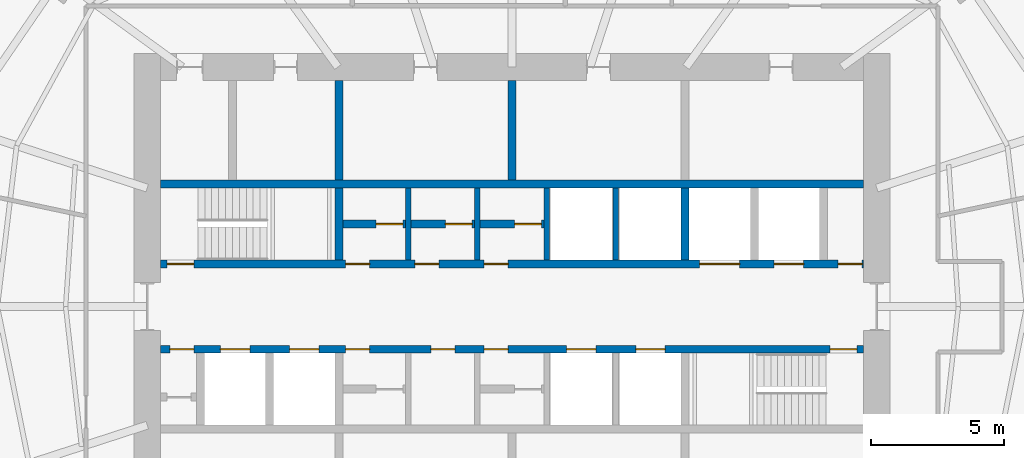
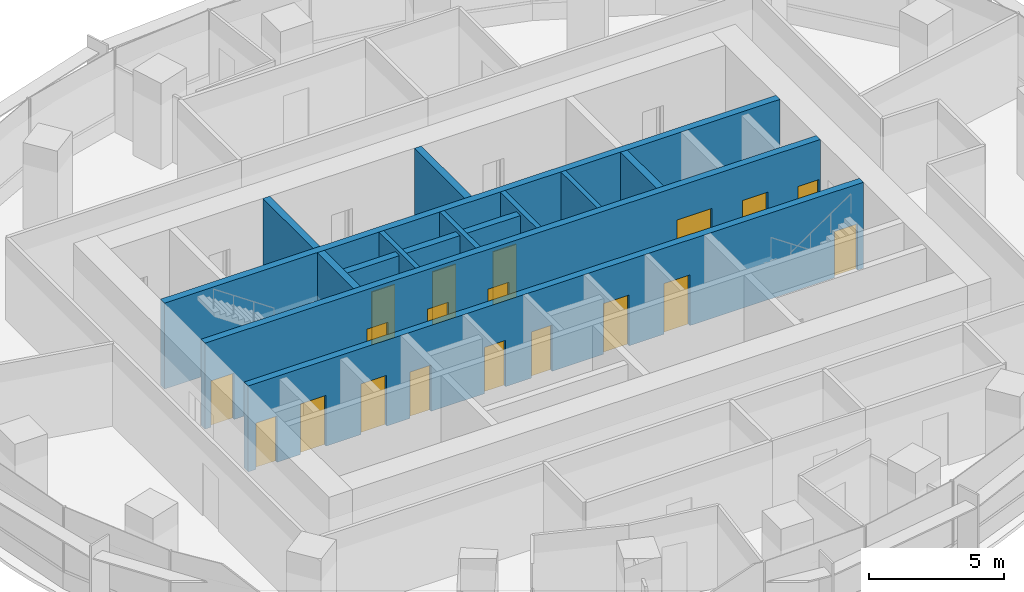
# One storey, part 11 of 15: 19 doors, 14 walls, 19 openings.
"""IFC4 building model written with IfcOpenShell, lengths in metres."""

from ifc_helpers import new_model, si_unit, direction, frame, frame_2d, origin, place, context, subcontext, project, spatial, rectangle, extrude, material, layer, layer_set, type_object, element, fill, save


model = new_model("IFC4")

# Units and contexts
model_context = context("Model", 3, precision=1e-05, world=origin(), true_north=direction((0.0, 1.0)))
body_context = subcontext(model_context, "Body", "Model", "MODEL_VIEW")
ifc_project = project(units=[si_unit("LENGTHUNIT", "METRE"), si_unit("AREAUNIT", "SQUARE_METRE"), si_unit("VOLUMEUNIT", "CUBIC_METRE"), si_unit("PLANEANGLEUNIT", "RADIAN"), si_unit("MASSUNIT", "GRAM", prefix="KILO")], contexts=[model_context])

# Site, building, storey
site_placement = place(None, origin())
site = spatial("IfcSite", under=ifc_project, at=site_placement, CompositionType="ELEMENT")
building_placement = place(site_placement, origin())
building = spatial("IfcBuilding", under=site, at=building_placement, Name="Marramba Exchange Tower", CompositionType="ELEMENT")
storey_placement = place(building_placement, frame((0.0, 0.0, 230.60009765625)))
storey = spatial("IfcBuildingStorey", under=building, at=storey_placement, Name="L56", CompositionType="ELEMENT", Elevation=230.60009765625)

# Walls
ifc_material_1 = material(Name="Concrete N50", Category="concrete")
ifc_layer_1 = layer(ifc_material_1, 0.199951171875)
ifc_layer_set_1 = layer_set([ifc_layer_1], Name="Core shaft wall 200")
wall_type_1 = type_object("IfcWallType", Name="Core shaft wall 200", PredefinedType="SHEAR", material=ifc_layer_set_1)
for number, where, z_axis, x_axis, name in (
    (1, (-3.89990234375, 1.75, 0.0), (0.0, 0.0, 1.0), (0.0, 1.0, 0.0), "Core wall SHN1 L56"),
    (2, (-1.300048828125, 1.75, 0.0), (0.0, 0.0, 1.0), (0.0, 1.0, 0.0), "Core wall SHN2 L56"),
    (3, (1.300048828125, 1.75, 0.0), (0.0, 0.0, 1.0), (0.0, 1.0, 0.0), "Core wall SHN3 L56"),
    (4, (3.89990234375, 1.75, 0.0), (0.0, 0.0, 1.0), (0.0, 1.0, 0.0), "Core wall SHN4 L56"),
):
    element("IfcWall", number, at=place(storey_placement, frame(where, z_axis=z_axis, x_axis=x_axis)), inside=storey, type_object=wall_type_1, Name=name, PredefinedType="SHEAR", context=body_context, shape_type="SweptSolid", body=[
        extrude(rectangle(XDim=2.699951171875, YDim=0.199951171875, at=frame_2d((1.35009765625, 0.0))), origin(), (0.0, 0.0, 1.0), 3.89990234375),
    ])

# Wall, openings, doors
ifc_layer_2 = layer(ifc_material_1, 0.300048828125)
ifc_layer_set_2 = layer_set([ifc_layer_2], Name="Core wall 300")
wall_type_2 = type_object("IfcWallType", Name="Core wall 300", PredefinedType="SHEAR", material=ifc_layer_set_2)
wall_1_placement = place(storey_placement, frame((-13.199951171875, 1.60009765625, 0.0), z_axis=(0.0, 0.0, 1.0), x_axis=(1.0, 0.0, 0.0)))
wall_1 = element("IfcWall", 5, at=wall_1_placement, inside=storey, type_object=wall_type_2, Name="Core wall LN L56", PredefinedType="SHEAR", context=body_context, shape_type="SweptSolid", body=[
    extrude(rectangle(XDim=26.39990234375, YDim=0.300048828125, at=frame_2d((13.199951171875, 0.0))), origin(), (0.0, 0.0, 1.0), 3.89990234375),
])
opening_1_placement = place(wall_1_placement, frame((0.25, 0.0, 0.0)))
opening_1 = element("IfcOpeningElement", 6, at=opening_1_placement, cuts=wall_1, Name="Opening D2", PredefinedType="OPENING", context=body_context, shape_type="SweptSolid", body=[
    extrude(rectangle(XDim=1.0, YDim=2.10009765625, at=frame_2d((0.5, 1.050048828125))), frame((0.0, 0.159912109375, 0.0), z_axis=(0.0, -1.0, 0.0), x_axis=(1.0, 0.0, 0.0)), (0.0, 0.0, 1.0), 0.320068359375),
])
opening_2_placement = place(wall_1_placement, frame((23.050048828125, 0.0, 0.0)))
opening_2 = element("IfcOpeningElement", 7, at=opening_2_placement, cuts=wall_1, Name="Opening LD1", PredefinedType="OPENING", context=body_context, shape_type="SweptSolid", body=[
    extrude(rectangle(XDim=1.10009765625, YDim=2.300048828125, at=frame_2d((0.550048828125, 1.14990234375))), frame((0.0, 0.159912109375, 0.0), z_axis=(0.0, -1.0, 0.0), x_axis=(1.0, 0.0, 0.0)), (0.0, 0.0, 1.0), 0.320068359375),
])
opening_3_placement = place(wall_1_placement, frame((20.25, 0.0, 0.0)))
opening_3 = element("IfcOpeningElement", 8, at=opening_3_placement, cuts=wall_1, Name="Opening LD3", PredefinedType="OPENING", context=body_context, shape_type="SweptSolid", body=[
    extrude(rectangle(XDim=1.5, YDim=2.39990234375, at=frame_2d((0.75, 1.199951171875))), frame((0.0, 0.159912109375, 0.0), z_axis=(0.0, -1.0, 0.0), x_axis=(1.0, 0.0, 0.0)), (0.0, 0.0, 1.0), 0.320068359375),
])
opening_4_placement = place(wall_1_placement, frame((6.949951171875, 0.0, 0.0)))
opening_4 = element("IfcOpeningElement", 9, at=opening_4_placement, cuts=wall_1, Name="Opening D5", PredefinedType="OPENING", context=body_context, shape_type="SweptSolid", body=[
    extrude(rectangle(XDim=0.89990234375, YDim=2.10009765625, at=frame_2d((0.449951171875, 1.050048828125))), frame((0.0, 0.159912109375, 0.0), z_axis=(0.0, -1.0, 0.0), x_axis=(1.0, 0.0, 0.0)), (0.0, 0.0, 1.0), 0.320068359375),
])
opening_5_placement = place(wall_1_placement, frame((9.550048828125, 0.0, 0.0)))
opening_5 = element("IfcOpeningElement", 10, at=opening_5_placement, cuts=wall_1, Name="Opening D5", PredefinedType="OPENING", context=body_context, shape_type="SweptSolid", body=[
    extrude(rectangle(XDim=0.89990234375, YDim=2.10009765625, at=frame_2d((0.449951171875, 1.050048828125))), frame((0.0, 0.159912109375, 0.0), z_axis=(0.0, -1.0, 0.0), x_axis=(1.0, 0.0, 0.0)), (0.0, 0.0, 1.0), 0.320068359375),
])
opening_6_placement = place(wall_1_placement, frame((12.14990234375, 0.0, 0.0)))
opening_6 = element("IfcOpeningElement", 11, at=opening_6_placement, cuts=wall_1, Name="Opening D5", PredefinedType="OPENING", context=body_context, shape_type="SweptSolid", body=[
    extrude(rectangle(XDim=0.89990234375, YDim=2.10009765625, at=frame_2d((0.449951171875, 1.050048828125))), frame((0.0, 0.159912109375, 0.0), z_axis=(0.0, -1.0, 0.0), x_axis=(1.0, 0.0, 0.0)), (0.0, 0.0, 1.0), 0.320068359375),
])
opening_7_placement = place(wall_1_placement, frame((25.449951171875, 0.0, 0.0)))
opening_7 = element("IfcOpeningElement", 12, at=opening_7_placement, cuts=wall_1, Name="Opening D5", PredefinedType="OPENING", context=body_context, shape_type="SweptSolid", body=[
    extrude(rectangle(XDim=0.89990234375, YDim=2.10009765625, at=frame_2d((0.449951171875, 1.050048828125))), frame((0.0, 0.159912109375, 0.0), z_axis=(0.0, -1.0, 0.0), x_axis=(1.0, 0.0, 0.0)), (0.0, 0.0, 1.0), 0.320068359375),
])
ifc_material_2 = material(Name="Steel-framed door", Category="steel")
door_type_1 = type_object("IfcDoorType", Name="Goods lift landing door 1500x2400", OperationType="SLIDING_TO_LEFT", PredefinedType="DOOR", material=ifc_material_2)
door_1_placement = place(opening_3_placement, origin())
door_1 = element("IfcDoor", 13, at=door_1_placement, inside=storey, type_object=door_type_1, Name="GL1 landing door L56", OperationType="SLIDING_TO_LEFT", OverallHeight=2.39990234375, OverallWidth=1.5, PredefinedType="DOOR", context=body_context, shape_type="SweptSolid", body=[
    extrude(rectangle(XDim=1.5, YDim=2.39990234375, at=frame_2d((0.75, 1.199951171875))), frame((0.0, 0.02490234375, 0.0), z_axis=(0.0, -1.0, 0.0), x_axis=(1.0, 0.0, 0.0)), (0.0, 0.0, 1.0), 0.050048828125),
])
fill(opening_3, door_1)
door_type_2 = type_object("IfcDoorType", Name="Lift landing door 1100x2300", OperationType="SLIDING_TO_LEFT", PredefinedType="DOOR", material=ifc_material_2)
door_2_placement = place(opening_2_placement, origin())
door_2 = element("IfcDoor", 14, at=door_2_placement, inside=storey, type_object=door_type_2, Name="LC3 landing door L56", OperationType="SLIDING_TO_LEFT", OverallHeight=2.300048828125, OverallWidth=1.10009765625, PredefinedType="DOOR", context=body_context, shape_type="SweptSolid", body=[
    extrude(rectangle(XDim=1.10009765625, YDim=2.300048828125, at=frame_2d((0.550048828125, 1.14990234375))), frame((0.0, 0.02490234375, 0.0), z_axis=(0.0, -1.0, 0.0), x_axis=(1.0, 0.0, 0.0)), (0.0, 0.0, 1.0), 0.050048828125),
])
fill(opening_2, door_2)
door_type_3 = type_object("IfcDoorType", Name="Service door 900x2100", OperationType="SINGLE_SWING_LEFT", PredefinedType="DOOR", material=ifc_material_2)
door_3_placement = place(opening_4_placement, origin())
door_3 = element("IfcDoor", 15, at=door_3_placement, inside=storey, type_object=door_type_3, Name="D5 switch room L56", OperationType="SINGLE_SWING_LEFT", OverallHeight=2.10009765625, OverallWidth=0.89990234375, PredefinedType="DOOR", context=body_context, shape_type="SweptSolid", body=[
    extrude(rectangle(XDim=0.89990234375, YDim=2.10009765625, at=frame_2d((0.449951171875, 1.050048828125))), frame((0.0, 0.02490234375, 0.0), z_axis=(0.0, -1.0, 0.0), x_axis=(1.0, 0.0, 0.0)), (0.0, 0.0, 1.0), 0.050048828125),
])
fill(opening_4, door_3)
door_4_placement = place(opening_5_placement, origin())
door_4 = element("IfcDoor", 16, at=door_4_placement, inside=storey, type_object=door_type_3, Name="D5 cleaner store L56", OperationType="SINGLE_SWING_LEFT", OverallHeight=2.10009765625, OverallWidth=0.89990234375, PredefinedType="DOOR", context=body_context, shape_type="SweptSolid", body=[
    extrude(rectangle(XDim=0.89990234375, YDim=2.10009765625, at=frame_2d((0.449951171875, 1.050048828125))), frame((0.0, 0.02490234375, 0.0), z_axis=(0.0, -1.0, 0.0), x_axis=(1.0, 0.0, 0.0)), (0.0, 0.0, 1.0), 0.050048828125),
])
fill(opening_5, door_4)
door_5_placement = place(opening_6_placement, origin())
door_5 = element("IfcDoor", 17, at=door_5_placement, inside=storey, type_object=door_type_3, Name="D5 general store L56", OperationType="SINGLE_SWING_LEFT", OverallHeight=2.10009765625, OverallWidth=0.89990234375, PredefinedType="DOOR", context=body_context, shape_type="SweptSolid", body=[
    extrude(rectangle(XDim=0.89990234375, YDim=2.10009765625, at=frame_2d((0.449951171875, 1.050048828125))), frame((0.0, 0.02490234375, 0.0), z_axis=(0.0, -1.0, 0.0), x_axis=(1.0, 0.0, 0.0)), (0.0, 0.0, 1.0), 0.050048828125),
])
fill(opening_6, door_5)
door_6_placement = place(opening_7_placement, origin())
door_6 = element("IfcDoor", 18, at=door_6_placement, inside=storey, type_object=door_type_3, Name="D5 riser L56", OperationType="SINGLE_SWING_RIGHT", OverallHeight=2.10009765625, OverallWidth=0.89990234375, PredefinedType="DOOR", context=body_context, shape_type="SweptSolid", body=[
    extrude(rectangle(XDim=0.89990234375, YDim=2.10009765625, at=frame_2d((0.449951171875, 1.050048828125))), frame((0.0, 0.02490234375, 0.0), z_axis=(0.0, -1.0, 0.0), x_axis=(1.0, 0.0, 0.0)), (0.0, 0.0, 1.0), 0.050048828125),
])
fill(opening_7, door_6)
door_type_4 = type_object("IfcDoorType", Name="Stair door 1000x2100", OperationType="SINGLE_SWING_LEFT", PredefinedType="DOOR", material=ifc_material_2)
door_7_placement = place(opening_1_placement, origin())
door_7 = element("IfcDoor", 19, at=door_7_placement, inside=storey, type_object=door_type_4, Name="D2 stair ST1 L56", OperationType="SINGLE_SWING_LEFT", OverallHeight=2.10009765625, OverallWidth=1.0, PredefinedType="DOOR", context=body_context, shape_type="SweptSolid", body=[
    extrude(rectangle(XDim=1.0, YDim=2.10009765625, at=frame_2d((0.5, 1.050048828125))), frame((0.0, 0.02490234375, 0.0), z_axis=(0.0, -1.0, 0.0), x_axis=(1.0, 0.0, 0.0)), (0.0, 0.0, 1.0), 0.050048828125),
])
fill(opening_1, door_7)

wall_2_placement = place(storey_placement, frame((-13.199951171875, -1.60009765625, 0.0), z_axis=(0.0, 0.0, 1.0), x_axis=(1.0, 0.0, 0.0)))
wall_2 = element("IfcWall", 20, at=wall_2_placement, inside=storey, type_object=wall_type_2, Name="Core wall LS L56", PredefinedType="SHEAR", context=body_context, shape_type="SweptSolid", body=[
    extrude(rectangle(XDim=26.39990234375, YDim=0.300048828125, at=frame_2d((13.199951171875, 0.0))), origin(), (0.0, 0.0, 1.0), 3.89990234375),
])
opening_8_placement = place(wall_2_placement, frame((25.14990234375, 0.0, 0.0)))
opening_8 = element("IfcOpeningElement", 21, at=opening_8_placement, cuts=wall_2, Name="Opening D2", PredefinedType="OPENING", context=body_context, shape_type="SweptSolid", body=[
    extrude(rectangle(XDim=1.0, YDim=2.10009765625, at=frame_2d((0.5, 1.050048828125))), frame((0.0, 0.159912109375, 0.0), z_axis=(0.0, -1.0, 0.0), x_axis=(1.0, 0.0, 0.0)), (0.0, 0.0, 1.0), 0.320068359375),
])
opening_9_placement = place(wall_2_placement, frame((6.949951171875, 0.0, 0.0)))
opening_9 = element("IfcOpeningElement", 22, at=opening_9_placement, cuts=wall_2, Name="Opening D5", PredefinedType="OPENING", context=body_context, shape_type="SweptSolid", body=[
    extrude(rectangle(XDim=0.89990234375, YDim=2.10009765625, at=frame_2d((0.449951171875, 1.050048828125))), frame((0.0, 0.159912109375, 0.0), z_axis=(0.0, -1.0, 0.0), x_axis=(1.0, 0.0, 0.0)), (0.0, 0.0, 1.0), 0.320068359375),
])
opening_10_placement = place(wall_2_placement, frame((10.14990234375, 0.0, 0.0)))
opening_10 = element("IfcOpeningElement", 23, at=opening_10_placement, cuts=wall_2, Name="Opening D5", PredefinedType="OPENING", context=body_context, shape_type="SweptSolid", body=[
    extrude(rectangle(XDim=0.89990234375, YDim=2.10009765625, at=frame_2d((0.449951171875, 1.050048828125))), frame((0.0, 0.159912109375, 0.0), z_axis=(0.0, -1.0, 0.0), x_axis=(1.0, 0.0, 0.0)), (0.0, 0.0, 1.0), 0.320068359375),
])
opening_11_placement = place(wall_2_placement, frame((12.14990234375, 0.0, 0.0)))
opening_11 = element("IfcOpeningElement", 24, at=opening_11_placement, cuts=wall_2, Name="Opening D5", PredefinedType="OPENING", context=body_context, shape_type="SweptSolid", body=[
    extrude(rectangle(XDim=0.89990234375, YDim=2.10009765625, at=frame_2d((0.449951171875, 1.050048828125))), frame((0.0, 0.159912109375, 0.0), z_axis=(0.0, -1.0, 0.0), x_axis=(1.0, 0.0, 0.0)), (0.0, 0.0, 1.0), 0.320068359375),
])
opening_12_placement = place(wall_2_placement, frame((15.25, 0.0, 0.0)))
opening_12 = element("IfcOpeningElement", 25, at=opening_12_placement, cuts=wall_2, Name="Opening LD2", PredefinedType="OPENING", context=body_context, shape_type="SweptSolid", body=[
    extrude(rectangle(XDim=1.10009765625, YDim=2.300048828125, at=frame_2d((0.550048828125, 1.14990234375))), frame((0.0, 0.159912109375, 0.0), z_axis=(0.0, -1.0, 0.0), x_axis=(1.0, 0.0, 0.0)), (0.0, 0.0, 1.0), 0.320068359375),
])
opening_13_placement = place(wall_2_placement, frame((17.85009765625, 0.0, 0.0)))
opening_13 = element("IfcOpeningElement", 26, at=opening_13_placement, cuts=wall_2, Name="Opening LD2", PredefinedType="OPENING", context=body_context, shape_type="SweptSolid", body=[
    extrude(rectangle(XDim=1.10009765625, YDim=2.300048828125, at=frame_2d((0.550048828125, 1.14990234375))), frame((0.0, 0.159912109375, 0.0), z_axis=(0.0, -1.0, 0.0), x_axis=(1.0, 0.0, 0.0)), (0.0, 0.0, 1.0), 0.320068359375),
])
opening_14_placement = place(wall_2_placement, frame((4.85009765625, 0.0, 0.0)))
opening_14 = element("IfcOpeningElement", 27, at=opening_14_placement, cuts=wall_2, Name="Opening LD1", PredefinedType="OPENING", context=body_context, shape_type="SweptSolid", body=[
    extrude(rectangle(XDim=1.10009765625, YDim=2.300048828125, at=frame_2d((0.550048828125, 1.14990234375))), frame((0.0, 0.159912109375, 0.0), z_axis=(0.0, -1.0, 0.0), x_axis=(1.0, 0.0, 0.0)), (0.0, 0.0, 1.0), 0.320068359375),
])
opening_15_placement = place(wall_2_placement, frame((2.25, 0.0, 0.0)))
opening_15 = element("IfcOpeningElement", 28, at=opening_15_placement, cuts=wall_2, Name="Opening LD1", PredefinedType="OPENING", context=body_context, shape_type="SweptSolid", body=[
    extrude(rectangle(XDim=1.10009765625, YDim=2.300048828125, at=frame_2d((0.550048828125, 1.14990234375))), frame((0.0, 0.159912109375, 0.0), z_axis=(0.0, -1.0, 0.0), x_axis=(1.0, 0.0, 0.0)), (0.0, 0.0, 1.0), 0.320068359375),
])
opening_16_placement = place(wall_2_placement, frame((0.35009765625, 0.0, 0.0)))
opening_16 = element("IfcOpeningElement", 29, at=opening_16_placement, cuts=wall_2, Name="Opening D5", PredefinedType="OPENING", context=body_context, shape_type="SweptSolid", body=[
    extrude(rectangle(XDim=0.89990234375, YDim=2.10009765625, at=frame_2d((0.449951171875, 1.050048828125))), frame((0.0, 0.159912109375, 0.0), z_axis=(0.0, -1.0, 0.0), x_axis=(1.0, 0.0, 0.0)), (0.0, 0.0, 1.0), 0.320068359375),
])
door_type_5 = type_object("IfcDoorType", Name="Emergency lift landing door 1100x2300", OperationType="SLIDING_TO_LEFT", PredefinedType="DOOR", material=ifc_material_2)
door_8_placement = place(opening_12_placement, frame((1.10009765625, 0.0, 0.0), z_axis=(0.0, 0.0, 1.0), x_axis=(-1.0, 0.0, 0.0)))
door_8 = element("IfcDoor", 30, at=door_8_placement, inside=storey, type_object=door_type_5, Name="FL1 landing door L56", OperationType="SLIDING_TO_RIGHT", OverallHeight=2.300048828125, OverallWidth=1.10009765625, PredefinedType="DOOR", context=body_context, shape_type="SweptSolid", body=[
    extrude(rectangle(XDim=1.10009765625, YDim=2.300048828125, at=frame_2d((0.550048828125, 1.14990234375))), frame((0.0, 0.025146484375, 0.0), z_axis=(0.0, -1.0, 0.0), x_axis=(1.0, 0.0, 0.0)), (0.0, 0.0, 1.0), 0.050048828125),
])
fill(opening_12, door_8)
door_9_placement = place(opening_13_placement, frame((1.10009765625, 0.0, 0.0), z_axis=(0.0, 0.0, 1.0), x_axis=(-1.0, 0.0, 0.0)))
door_9 = element("IfcDoor", 31, at=door_9_placement, inside=storey, type_object=door_type_5, Name="FL2 landing door L56", OperationType="SLIDING_TO_LEFT", OverallHeight=2.300048828125, OverallWidth=1.10009765625, PredefinedType="DOOR", context=body_context, shape_type="SweptSolid", body=[
    extrude(rectangle(XDim=1.10009765625, YDim=2.300048828125, at=frame_2d((0.550048828125, 1.14990234375))), frame((0.0, 0.025146484375, 0.0), z_axis=(0.0, -1.0, 0.0), x_axis=(1.0, 0.0, 0.0)), (0.0, 0.0, 1.0), 0.050048828125),
])
fill(opening_13, door_9)
door_10_placement = place(opening_14_placement, frame((1.10009765625, 0.0, 0.0), z_axis=(0.0, 0.0, 1.0), x_axis=(-1.0, 0.0, 0.0)))
door_10 = element("IfcDoor", 32, at=door_10_placement, inside=storey, type_object=door_type_2, Name="LC1 landing door L56", OperationType="SLIDING_TO_RIGHT", OverallHeight=2.300048828125, OverallWidth=1.10009765625, PredefinedType="DOOR", context=body_context, shape_type="SweptSolid", body=[
    extrude(rectangle(XDim=1.10009765625, YDim=2.300048828125, at=frame_2d((0.550048828125, 1.14990234375))), frame((0.0, 0.025146484375, 0.0), z_axis=(0.0, -1.0, 0.0), x_axis=(1.0, 0.0, 0.0)), (0.0, 0.0, 1.0), 0.050048828125),
])
fill(opening_14, door_10)
door_11_placement = place(opening_15_placement, frame((1.10009765625, 0.0, 0.0), z_axis=(0.0, 0.0, 1.0), x_axis=(-1.0, 0.0, 0.0)))
door_11 = element("IfcDoor", 33, at=door_11_placement, inside=storey, type_object=door_type_2, Name="LC2 landing door L56", OperationType="SLIDING_TO_LEFT", OverallHeight=2.300048828125, OverallWidth=1.10009765625, PredefinedType="DOOR", context=body_context, shape_type="SweptSolid", body=[
    extrude(rectangle(XDim=1.10009765625, YDim=2.300048828125, at=frame_2d((0.550048828125, 1.14990234375))), frame((0.0, 0.025146484375, 0.0), z_axis=(0.0, -1.0, 0.0), x_axis=(1.0, 0.0, 0.0)), (0.0, 0.0, 1.0), 0.050048828125),
])
fill(opening_15, door_11)
door_12_placement = place(opening_9_placement, frame((0.89990234375, 0.0, 0.0), z_axis=(0.0, 0.0, 1.0), x_axis=(-1.0, 0.0, 0.0)))
door_12 = element("IfcDoor", 34, at=door_12_placement, inside=storey, type_object=door_type_3, Name="D5 vending room n1 L56", OperationType="SINGLE_SWING_RIGHT", OverallHeight=2.10009765625, OverallWidth=0.89990234375, PredefinedType="DOOR", context=body_context, shape_type="SweptSolid", body=[
    extrude(rectangle(XDim=0.89990234375, YDim=2.10009765625, at=frame_2d((0.449951171875, 1.050048828125))), frame((0.0, 0.025146484375, 0.0), z_axis=(0.0, -1.0, 0.0), x_axis=(1.0, 0.0, 0.0)), (0.0, 0.0, 1.0), 0.050048828125),
])
fill(opening_9, door_12)
door_13_placement = place(opening_10_placement, frame((0.89990234375, 0.0, 0.0), z_axis=(0.0, 0.0, 1.0), x_axis=(-1.0, 0.0, 0.0)))
door_13 = element("IfcDoor", 35, at=door_13_placement, inside=storey, type_object=door_type_3, Name="D5 store room n1 L56", OperationType="SINGLE_SWING_RIGHT", OverallHeight=2.10009765625, OverallWidth=0.89990234375, PredefinedType="DOOR", context=body_context, shape_type="SweptSolid", body=[
    extrude(rectangle(XDim=0.89990234375, YDim=2.10009765625, at=frame_2d((0.449951171875, 1.050048828125))), frame((0.0, 0.025146484375, 0.0), z_axis=(0.0, -1.0, 0.0), x_axis=(1.0, 0.0, 0.0)), (0.0, 0.0, 1.0), 0.050048828125),
])
fill(opening_10, door_13)
door_14_placement = place(opening_11_placement, frame((0.89990234375, 0.0, 0.0), z_axis=(0.0, 0.0, 1.0), x_axis=(-1.0, 0.0, 0.0)))
door_14 = element("IfcDoor", 36, at=door_14_placement, inside=storey, type_object=door_type_3, Name="D5 it equipment room n2 L56", OperationType="SINGLE_SWING_RIGHT", OverallHeight=2.10009765625, OverallWidth=0.89990234375, PredefinedType="DOOR", context=body_context, shape_type="SweptSolid", body=[
    extrude(rectangle(XDim=0.89990234375, YDim=2.10009765625, at=frame_2d((0.449951171875, 1.050048828125))), frame((0.0, 0.025146484375, 0.0), z_axis=(0.0, -1.0, 0.0), x_axis=(1.0, 0.0, 0.0)), (0.0, 0.0, 1.0), 0.050048828125),
])
fill(opening_11, door_14)
door_15_placement = place(opening_16_placement, frame((0.89990234375, 0.0, 0.0), z_axis=(0.0, 0.0, 1.0), x_axis=(-1.0, 0.0, 0.0)))
door_15 = element("IfcDoor", 37, at=door_15_placement, inside=storey, type_object=door_type_3, Name="D5 electrical riser L56", OperationType="SINGLE_SWING_LEFT", OverallHeight=2.10009765625, OverallWidth=0.89990234375, PredefinedType="DOOR", context=body_context, shape_type="SweptSolid", body=[
    extrude(rectangle(XDim=0.89990234375, YDim=2.10009765625, at=frame_2d((0.449951171875, 1.050048828125))), frame((0.0, 0.025146484375, 0.0), z_axis=(0.0, -1.0, 0.0), x_axis=(1.0, 0.0, 0.0)), (0.0, 0.0, 1.0), 0.050048828125),
])
fill(opening_16, door_15)
door_16_placement = place(opening_8_placement, frame((1.0, 0.0, 0.0), z_axis=(0.0, 0.0, 1.0), x_axis=(-1.0, 0.0, 0.0)))
door_16 = element("IfcDoor", 38, at=door_16_placement, inside=storey, type_object=door_type_4, Name="D2 stair ST2 L56", OperationType="SINGLE_SWING_LEFT", OverallHeight=2.10009765625, OverallWidth=1.0, PredefinedType="DOOR", context=body_context, shape_type="SweptSolid", body=[
    extrude(rectangle(XDim=1.0, YDim=2.10009765625, at=frame_2d((0.5, 1.050048828125))), frame((0.0, 0.025146484375, 0.0), z_axis=(0.0, -1.0, 0.0), x_axis=(1.0, 0.0, 0.0)), (0.0, 0.0, 1.0), 0.050048828125),
])
fill(opening_8, door_16)

# Walls
wall_3_placement = place(storey_placement, frame((-13.199951171875, 4.60009765625, 0.0), z_axis=(0.0, 0.0, 1.0), x_axis=(1.0, 0.0, 0.0)))
element("IfcWall", 39, at=wall_3_placement, inside=storey, type_object=wall_type_2, Name="Core wall BN L56", PredefinedType="SHEAR", context=body_context, shape_type="SweptSolid", body=[
    extrude(rectangle(XDim=26.39990234375, YDim=0.300048828125, at=frame_2d((13.199951171875, 0.0))), origin(), (0.0, 0.0, 1.0), 3.89990234375),
])
wall_4_placement = place(storey_placement, frame((-6.5, 1.75, 0.0), z_axis=(0.0, 0.0, 1.0), x_axis=(0.0, 1.0, 0.0)))
element("IfcWall", 40, at=wall_4_placement, inside=storey, type_object=wall_type_2, Name="Core wall X0Na L56", PredefinedType="SHEAR", context=body_context, shape_type="SweptSolid", body=[
    extrude(rectangle(XDim=2.699951171875, YDim=0.300048828125, at=frame_2d((1.35009765625, 0.0))), origin(), (0.0, 0.0, 1.0), 3.89990234375),
])
wall_5_placement = place(storey_placement, frame((-6.5, 4.75, 0.0), z_axis=(0.0, 0.0, 1.0), x_axis=(0.0, 1.0, 0.0)))
element("IfcWall", 41, at=wall_5_placement, inside=storey, type_object=wall_type_2, Name="Core wall X0Nb L56", PredefinedType="SHEAR", context=body_context, shape_type="SweptSolid", body=[
    extrude(rectangle(XDim=3.75, YDim=0.300048828125, at=frame_2d((1.875, 0.0))), origin(), (0.0, 0.0, 1.0), 3.89990234375),
])
wall_6_placement = place(storey_placement, frame((6.5, 1.75, 0.0), z_axis=(0.0, 0.0, 1.0), x_axis=(0.0, 1.0, 0.0)))
element("IfcWall", 42, at=wall_6_placement, inside=storey, type_object=wall_type_2, Name="Core wall X1Na L56", PredefinedType="SHEAR", context=body_context, shape_type="SweptSolid", body=[
    extrude(rectangle(XDim=2.699951171875, YDim=0.300048828125, at=frame_2d((1.35009765625, 0.0))), origin(), (0.0, 0.0, 1.0), 3.89990234375),
])
wall_7_placement = place(storey_placement, frame((0.0, 4.75, 0.0), z_axis=(0.0, 0.0, 1.0), x_axis=(0.0, 1.0, 0.0)))
element("IfcWall", 43, at=wall_7_placement, inside=storey, type_object=wall_type_2, Name="Core wall MN L56", PredefinedType="SHEAR", context=body_context, shape_type="SweptSolid", body=[
    extrude(rectangle(XDim=3.75, YDim=0.300048828125, at=frame_2d((1.875, 0.0))), origin(), (0.0, 0.0, 1.0), 3.89990234375),
])

# Wall, opening, door
ifc_material_3 = material(Name="Plasterboard on steel studs, insulated, unrated", Category="steel")
ifc_layer_3 = layer(ifc_material_3, 0.300048828125)
ifc_layer_set_3 = layer_set([ifc_layer_3], Name="Store partition 300")
wall_type_3 = type_object("IfcWallType", Name="Store partition 300", PredefinedType="PARTITIONING", material=ifc_layer_set_3)
wall_8_placement = place(storey_placement, frame((-6.35009765625, 3.10009765625, 0.0), z_axis=(0.0, 0.0, 1.0), x_axis=(1.0, 0.0, 0.0)))
wall_8 = element("IfcWall", 44, at=wall_8_placement, inside=storey, type_object=wall_type_3, Name="Store partition L56 N1", PredefinedType="PARTITIONING", context=body_context, shape_type="SweptSolid", body=[
    extrude(rectangle(XDim=2.35009765625, YDim=0.300048828125, at=frame_2d((1.175048828125, 0.0))), origin(), (0.0, 0.0, 1.0), 3.739990234375),
])
opening_17_placement = place(wall_8_placement, frame((1.25, 0.0, 0.0)))
opening_17 = element("IfcOpeningElement", 45, at=opening_17_placement, cuts=wall_8, Name="Opening D9", PredefinedType="OPENING", context=body_context, shape_type="SweptSolid", body=[
    extrude(rectangle(XDim=1.0, YDim=2.39990234375, at=frame_2d((0.5, 1.199951171875))), frame((0.0, 0.159912109375, 0.0), z_axis=(0.0, -1.0, 0.0), x_axis=(1.0, 0.0, 0.0)), (0.0, 0.0, 1.0), 0.320068359375),
])
ifc_material_4 = material(Name="Timber door", Category="wood")
door_type_6 = type_object("IfcDoorType", Name="Room door 1000x2400", OperationType="SINGLE_SWING_LEFT", PredefinedType="DOOR", material=ifc_material_4)
door_17_placement = place(opening_17_placement, origin())
door_17 = element("IfcDoor", 46, at=door_17_placement, inside=storey, type_object=door_type_6, Name="D9 store room N1 L56", OperationType="SINGLE_SWING_RIGHT", OverallHeight=2.39990234375, OverallWidth=1.0, PredefinedType="DOOR", context=body_context, shape_type="SweptSolid", body=[
    extrude(rectangle(XDim=1.0, YDim=2.39990234375, at=frame_2d((0.5, 1.199951171875))), frame((0.0, 0.02490234375, 0.0), z_axis=(0.0, -1.0, 0.0), x_axis=(1.0, 0.0, 0.0)), (0.0, 0.0, 1.0), 0.050048828125),
])
fill(opening_17, door_17)

wall_9_placement = place(storey_placement, frame((-3.800048828125, 3.10009765625, 0.0), z_axis=(0.0, 0.0, 1.0), x_axis=(1.0, 0.0, 0.0)))
wall_9 = element("IfcWall", 47, at=wall_9_placement, inside=storey, type_object=wall_type_3, Name="Store partition L56 N2", PredefinedType="PARTITIONING", context=body_context, shape_type="SweptSolid", body=[
    extrude(rectangle(XDim=2.400146484375, YDim=0.300048828125, at=frame_2d((1.2001953125, 0.0))), origin(), (0.0, 0.0, 1.0), 3.739990234375),
])
opening_18_placement = place(wall_9_placement, frame((1.300048828125, 0.0, 0.0)))
opening_18 = element("IfcOpeningElement", 48, at=opening_18_placement, cuts=wall_9, Name="Opening D9", PredefinedType="OPENING", context=body_context, shape_type="SweptSolid", body=[
    extrude(rectangle(XDim=1.0, YDim=2.39990234375, at=frame_2d((0.5, 1.199951171875))), frame((0.0, 0.159912109375, 0.0), z_axis=(0.0, -1.0, 0.0), x_axis=(1.0, 0.0, 0.0)), (0.0, 0.0, 1.0), 0.320068359375),
])
door_18_placement = place(opening_18_placement, origin())
door_18 = element("IfcDoor", 49, at=door_18_placement, inside=storey, type_object=door_type_6, Name="D9 store room N2 L56", OperationType="SINGLE_SWING_RIGHT", OverallHeight=2.39990234375, OverallWidth=1.0, PredefinedType="DOOR", context=body_context, shape_type="SweptSolid", body=[
    extrude(rectangle(XDim=1.0, YDim=2.39990234375, at=frame_2d((0.5, 1.199951171875))), frame((0.0, 0.02490234375, 0.0), z_axis=(0.0, -1.0, 0.0), x_axis=(1.0, 0.0, 0.0)), (0.0, 0.0, 1.0), 0.050048828125),
])
fill(opening_18, door_18)

wall_10_placement = place(storey_placement, frame((-1.199951171875, 3.10009765625, 0.0), z_axis=(0.0, 0.0, 1.0), x_axis=(1.0, 0.0, 0.0)))
wall_10 = element("IfcWall", 50, at=wall_10_placement, inside=storey, type_object=wall_type_3, Name="Store partition L56 N3", PredefinedType="PARTITIONING", context=body_context, shape_type="SweptSolid", body=[
    extrude(rectangle(XDim=2.39990234375, YDim=0.300048828125, at=frame_2d((1.199951171875, 0.0))), origin(), (0.0, 0.0, 1.0), 3.739990234375),
])
opening_19_placement = place(wall_10_placement, frame((1.300048828125, 0.0, 0.0)))
opening_19 = element("IfcOpeningElement", 51, at=opening_19_placement, cuts=wall_10, Name="Opening D9", PredefinedType="OPENING", context=body_context, shape_type="SweptSolid", body=[
    extrude(rectangle(XDim=1.0, YDim=2.39990234375, at=frame_2d((0.5, 1.199951171875))), frame((0.0, 0.159912109375, 0.0), z_axis=(0.0, -1.0, 0.0), x_axis=(1.0, 0.0, 0.0)), (0.0, 0.0, 1.0), 0.320068359375),
])
door_19_placement = place(opening_19_placement, origin())
door_19 = element("IfcDoor", 52, at=door_19_placement, inside=storey, type_object=door_type_6, Name="D9 store room N3 L56", OperationType="SINGLE_SWING_RIGHT", OverallHeight=2.39990234375, OverallWidth=1.0, PredefinedType="DOOR", context=body_context, shape_type="SweptSolid", body=[
    extrude(rectangle(XDim=1.0, YDim=2.39990234375, at=frame_2d((0.5, 1.199951171875))), frame((0.0, 0.02490234375, 0.0), z_axis=(0.0, -1.0, 0.0), x_axis=(1.0, 0.0, 0.0)), (0.0, 0.0, 1.0), 0.050048828125),
])
fill(opening_19, door_19)

save(model, "model.ifc")
